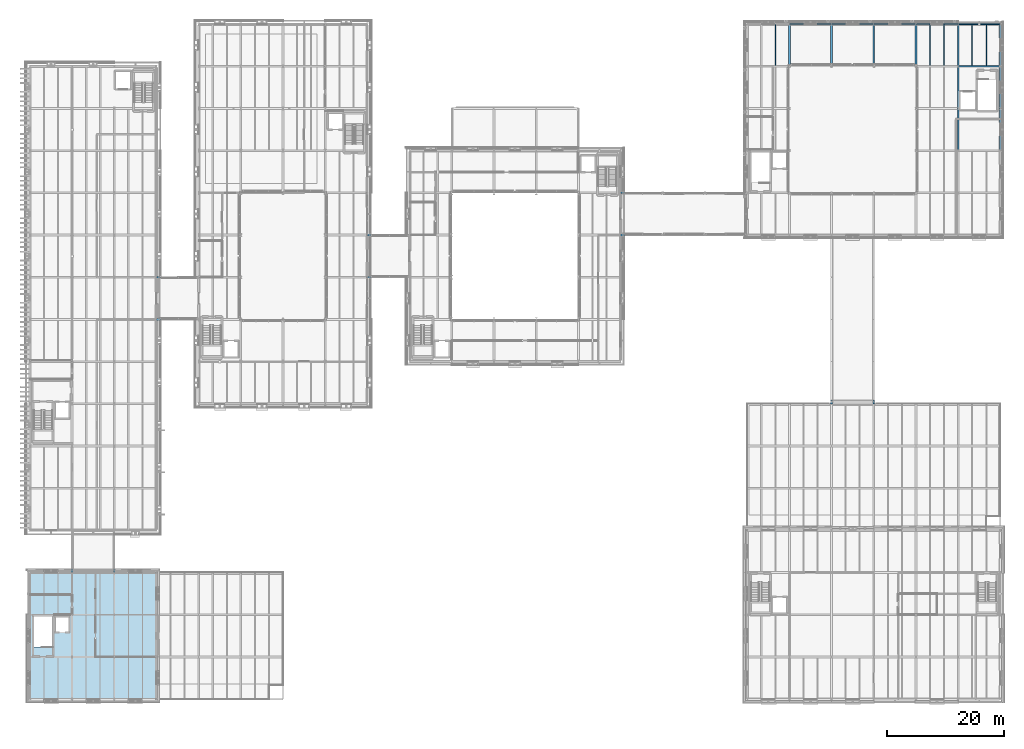
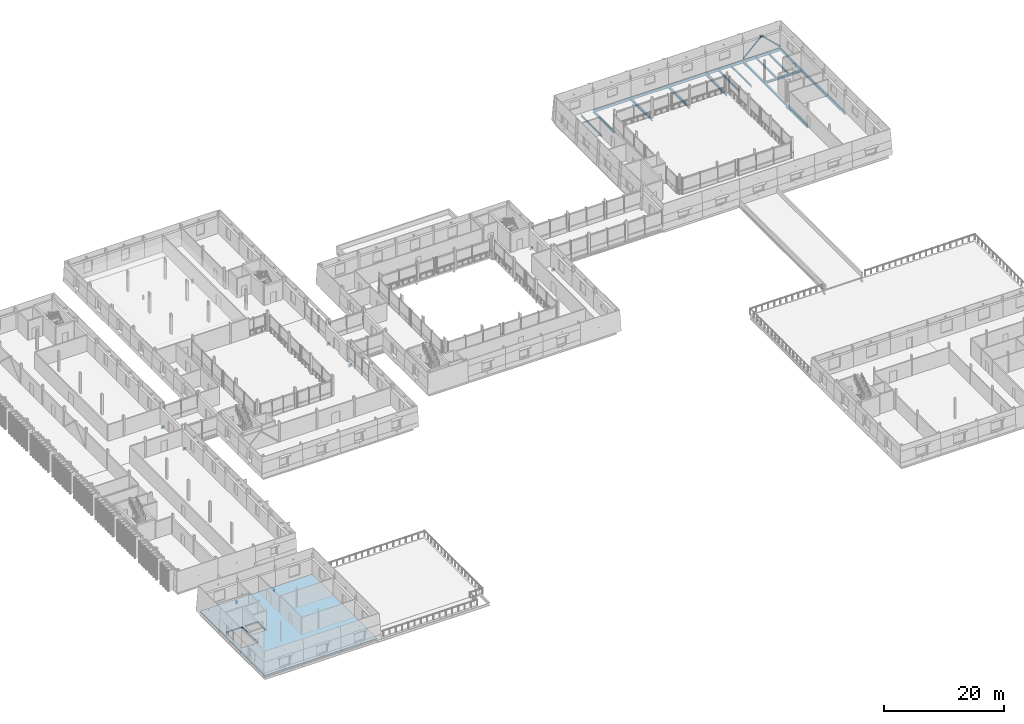
# One storey, part 42 of 115: 31 beams, 2 members, 1 slab.
"""IFC4 building model written with IfcOpenShell, lengths in metres."""

import ifcopenshell
import ifcopenshell.guid

model = None  # the IFC model being written
_history = None  # IfcOwnerHistory: only IFC2X3 demands one
_inside = {}  # id of a spatial element -> (the spatial element, [elements in it])
_under = {}  # id of a project, library or spatial element -> (it, [spatial elements below it])
_declared = {}  # id of a project -> (the project, [libraries it declares])
_typed = {}  # id of a type object -> (the type object, [elements of that type])
_made_of = {}  # id of a material, layer set ... -> (it, [elements and type objects made of it])


def new_model(schema):
    """Start an empty IFC model of exactly this schema.

    Asked for "IFC4X3", IfcOpenShell would pick the latest addendum, in which some entities
    have other attributes; the version numbers below select the first issue.
    IFC2X3 requires an IfcOwnerHistory on every rooted entity: one is made here for all.
    """
    global model, _history
    if schema == "IFC4X3":
        model = ifcopenshell.file(schema_version=(4, 3, 0, 0))
    else:
        model = ifcopenshell.file(schema=schema)
    _inside.clear()
    _under.clear()
    _declared.clear()
    _typed.clear()
    _made_of.clear()
    _history = None
    if model.schema == "IFC2X3":
        org = make("IfcOrganization", Name="unknown")
        user = make(
            "IfcPersonAndOrganization",
            ThePerson=make("IfcPerson", FamilyName="unknown"),
            TheOrganization=org,
        )
        app = make(
            "IfcApplication",
            ApplicationDeveloper=org,
            Version="unknown",
            ApplicationFullName="unknown",
            ApplicationIdentifier="unknown",
        )
        _history = make(
            "IfcOwnerHistory",
            OwningUser=user,
            OwningApplication=app,
            ChangeAction="ADDED",
            CreationDate=0,
        )
    return model


def make(cls, **values):
    """One entity of the class cls with the attributes given. An attribute that is None is left unset."""
    return model.create_entity(
        cls, **{name: value for name, value in values.items() if value is not None}
    )


def rooted(cls, **values):
    """An entity with a GlobalId (a new one), such as an element, a storey or a relation."""
    return make(cls, GlobalId=ifcopenshell.guid.new(), OwnerHistory=_history, **values)


def si_unit(unit_type, name, prefix=None):
    """IfcSIUnit, for example si_unit("LENGTHUNIT", "METRE", prefix="MILLI")."""
    return make("IfcSIUnit", UnitType=unit_type, Prefix=prefix, Name=name)


def assignment(units):
    """IfcUnitAssignment: the units of a project."""
    return None if units is None else make("IfcUnitAssignment", Units=units)


def point(xyz):
    """IfcCartesianPoint."""
    return None if xyz is None else make("IfcCartesianPoint", Coordinates=xyz)


def direction(xyz):
    """IfcDirection."""
    return None if xyz is None else make("IfcDirection", DirectionRatios=xyz)


def frame(location, z_axis=None, x_axis=None):
    """IfcAxis2Placement3D, a coordinate frame: its origin and axes. An axis left out is left unset."""
    return make(
        "IfcAxis2Placement3D",
        Location=point(location),
        Axis=direction(z_axis),
        RefDirection=direction(x_axis),
    )


def frame_2d(location, x_axis=None):
    """IfcAxis2Placement2D, a coordinate frame in the plane: its origin and x axis."""
    return make(
        "IfcAxis2Placement2D", Location=point(location), RefDirection=direction(x_axis)
    )


def origin():
    """The frame at (0, 0, 0) with its axes left unset."""
    return frame((0.0, 0.0, 0.0))


def origin_2d():
    """The frame at (0, 0) in the plane with its x axis left unset."""
    return frame_2d((0.0, 0.0))


def place(relative_to, where):
    """IfcLocalPlacement: puts the frame where relative to a parent placement (None: the world)."""
    return make(
        "IfcLocalPlacement", PlacementRelTo=relative_to, RelativePlacement=where
    )


def context(
    kind, dimensions, precision=None, world=None, true_north=None, identifier=None
):
    """IfcGeometricRepresentationContext, for example the 3D "Model" context."""
    return make(
        "IfcGeometricRepresentationContext",
        ContextIdentifier=identifier,
        ContextType=kind,
        CoordinateSpaceDimension=dimensions,
        Precision=precision,
        WorldCoordinateSystem=world,
        TrueNorth=true_north,
    )


def subcontext(parent, identifier, kind, view, scale=None):
    """IfcGeometricRepresentationSubContext, for example "Body" below "Model"."""
    return make(
        "IfcGeometricRepresentationSubContext",
        ContextIdentifier=identifier,
        ContextType=kind,
        ParentContext=parent,
        TargetScale=scale,
        TargetView=view,
    )


def project(units=None, contexts=None):
    """IfcProject with its units and contexts."""
    return rooted(
        "IfcProject",
        Name="project",
        RepresentationContexts=contexts,
        UnitsInContext=assignment(units),
    )


def spatial(cls, under=None, at=None, **own):
    """A site, building, storey or space (cls), placed at a placement, below another one or the project."""
    s = rooted(cls, ObjectPlacement=at, **own)
    if under is not None:
        _under.setdefault(under.id(), (under, []))[1].append(s)
    return s


def polyline(points):
    """IfcPolyline through the points."""
    return make("IfcPolyline", Points=[point(p) for p in points])


def profile(cls, at=None, kind="AREA", **sizes):
    """A parametric profile (cls). Its sizes go by their IFC names, for example OverallWidth=200.0."""
    return make(cls, ProfileType=kind, Position=at, **sizes)


def hollow_circle(**sizes):
    """IfcCircleHollowProfileDef."""
    return profile("IfcCircleHollowProfileDef", **sizes)


def i_section(**sizes):
    """IfcIShapeProfileDef."""
    return profile("IfcIShapeProfileDef", **sizes)


def outline(outer, holes=None, kind="AREA"):
    """IfcArbitraryClosedProfileDef: a profile drawn as a closed curve; with holes, ...WithVoids."""
    if holes is None:
        return make("IfcArbitraryClosedProfileDef", ProfileType=kind, OuterCurve=outer)
    return make(
        "IfcArbitraryProfileDefWithVoids",
        ProfileType=kind,
        OuterCurve=outer,
        InnerCurves=holes,
    )


def extrude(swept, where, along, depth):
    """IfcExtrudedAreaSolid: the profile swept, set in the frame where, extruded along a direction by depth."""
    return make(
        "IfcExtrudedAreaSolid",
        SweptArea=swept,
        Position=where,
        ExtrudedDirection=direction(along),
        Depth=depth,
    )


def shape(context_of_items, identifier, shape_type, items):
    """IfcShapeRepresentation: the items that make up one representation, for example the "Body"."""
    return make(
        "IfcShapeRepresentation",
        ContextOfItems=context_of_items,
        RepresentationIdentifier=identifier,
        RepresentationType=shape_type,
        Items=items,
    )


def material(Name=None, Category=None):
    """IfcMaterial."""
    return make("IfcMaterial", Name=Name, Category=Category)


def layer(
    of_material, thickness, ventilated=None, Name=None, Category=None, Priority=None
):
    """IfcMaterialLayer: one layer of a wall or slab, of a material (None: an air gap)."""
    return make(
        "IfcMaterialLayer",
        Material=of_material,
        LayerThickness=thickness,
        IsVentilated=ventilated,
        Name=Name,
        Category=Category,
        Priority=Priority,
    )


def layer_set(layers, Name=None):
    """IfcMaterialLayerSet."""
    return make("IfcMaterialLayerSet", MaterialLayers=layers, LayerSetName=Name)


def material_profile(
    of_material, cross_section, Name=None, Category=None, Priority=None
):
    """IfcMaterialProfile: a cross section and its material."""
    return make(
        "IfcMaterialProfile",
        Name=Name,
        Material=of_material,
        Profile=cross_section,
        Priority=Priority,
        Category=Category,
    )


def profile_set(profiles, Name=None, composite=None):
    """IfcMaterialProfileSet."""
    return make(
        "IfcMaterialProfileSet",
        Name=Name,
        MaterialProfiles=profiles,
        CompositeProfile=composite,
    )


def made_of(thing, what):
    """Note that an element or type object is made of a material, layer set ...; save() writes the relation."""
    if what is not None:
        _made_of.setdefault(what.id(), (what, []))[1].append(thing)
    return thing


def type_object(cls, material=None, **own):
    """A type object (cls), such as IfcWallType, which elements share."""
    return made_of(rooted(cls, **own), material)


def element(
    cls,
    number,
    at=None,
    inside=None,
    cuts=None,
    type_object=None,
    material=None,
    context=None,
    identifier="Body",
    shape_type=None,
    held_by="IfcProductDefinitionShape",
    body=None,
    shapes=None,
    **own,
):
    """One element of the class cls, such as IfcWall. Its Tag is "e" and its number.

    at: its placement. inside: the storey or other place that contains it. cuts: it is an
    opening in that element (IfcRelVoidsElement). A single representation is given by context,
    identifier, shape_type and body (its items); several are given by shapes. held_by: the class
    of the entity that holds the representations. save() writes the other relations.
    """
    e = rooted(cls, Tag="e%d" % number, ObjectPlacement=at, **own)
    if body is not None:
        shapes = [shape(context, identifier, shape_type, body)]
    if shapes is not None:
        e.Representation = make(held_by, Representations=shapes)
    if inside is not None:
        _inside.setdefault(inside.id(), (inside, []))[1].append(e)
    if cuts is not None:
        rooted(
            "IfcRelVoidsElement", RelatingBuildingElement=cuts, RelatedOpeningElement=e
        )
    if type_object is not None:
        _typed.setdefault(type_object.id(), (type_object, []))[1].append(e)
    return made_of(e, material)


def aggregate(whole, parts):
    """IfcRelAggregates: a whole, such as a stair, and the parts it consists of."""
    return rooted("IfcRelAggregates", RelatingObject=whole, RelatedObjects=parts)


def save(model, path):
    """Write the relations noted so far, then the file.

    IfcRelAggregates (storeys below a building ...), IfcRelContainedInSpatialStructure (elements
    in a storey), IfcRelDefinesByType, IfcRelAssociatesMaterial and IfcRelDeclares: one each for
    every whole, place, type object, material and project.
    """
    for whole, parts in _under.values():
        aggregate(whole, parts)
    for where, things in _inside.values():
        rooted(
            "IfcRelContainedInSpatialStructure",
            RelatedElements=things,
            RelatingStructure=where,
        )
    for kind, things in _typed.values():
        rooted("IfcRelDefinesByType", RelatedObjects=things, RelatingType=kind)
    for what, things in _made_of.values():
        rooted("IfcRelAssociatesMaterial", RelatedObjects=things, RelatingMaterial=what)
    for by, libraries in _declared.values():
        rooted("IfcRelDeclares", RelatingContext=by, RelatedDefinitions=libraries)
    model.write(path)


model = new_model("IFC4")

# Units and contexts
model_context = context("Model", 3, precision=1e-05, world=origin(), true_north=direction((0.0, 1.0)))
body_context = subcontext(model_context, "Body", "Model", "MODEL_VIEW")
ifc_project = project(units=[si_unit("LENGTHUNIT", "METRE"), si_unit("AREAUNIT", "SQUARE_METRE"), si_unit("VOLUMEUNIT", "CUBIC_METRE"), si_unit("PLANEANGLEUNIT", "RADIAN"), si_unit("MASSUNIT", "GRAM", prefix="KILO")], contexts=[model_context])

# Site, building, storey
site_placement = place(None, origin())
site = spatial("IfcSite", under=ifc_project, at=site_placement, CompositionType="ELEMENT")
building_placement = place(site_placement, origin())
building = spatial("IfcBuilding", under=site, at=building_placement, Name="Narikvali Park Central Library", CompositionType="ELEMENT")
storey_placement = place(building_placement, frame((0.0, 0.0, 10.199951171875)))
storey = spatial("IfcBuildingStorey", under=building, at=storey_placement, Name="L02", CompositionType="ELEMENT", Elevation=10.199951171875)

# Beams
ifc_material_1 = material(Name="Steel S355", Category="steel")
ifc_material_profile_1 = material_profile(ifc_material_1, i_section(OverallWidth=0.300048828125, OverallDepth=0.449951171875, WebThickness=0.013916015625, FlangeThickness=0.02587890625, FilletRadius=0.027099609375, at=origin_2d()), Name="HEB 450")
ifc_profile_set_1 = profile_set([ifc_material_profile_1], Name="Steel S355")
beam_type_1 = type_object("IfcBeamType", Name="Bridge Sliding Corbel Seat HEB450", PredefinedType="BEAM", material=ifc_profile_set_1)
for number, where, z_axis, x_axis, name in (
    (1, (21.60009765625, 64.800048828125, -0.905029296875), (1.0, 0.0, 0.0), (0.0, 1.0, 0.0), "BRG-1 L02 Bridge Sliding Corbel Seat 650 1"),
    (2, (21.60009765625, 72.0, -0.905029296875), (1.0, 0.0, 0.0), (0.0, 1.0, 0.0), "BRG-1 L02 Bridge Sliding Corbel Seat 650 2"),
    (3, (57.60009765625, 72.0, -0.905029296875), (1.0, 0.0, 0.0), (0.0, 1.0, 0.0), "BRG-2 L02 Bridge Sliding Corbel Seat 650 1"),
    (4, (57.60009765625, 79.199951171875, -0.905029296875), (1.0, 0.0, 0.0), (0.0, 1.0, 0.0), "BRG-2 L02 Bridge Sliding Corbel Seat 650 2"),
    (5, (100.800048828125, 79.199951171875, -0.945068359375), (1.0, 0.0, 0.0), (0.0, 1.0, 0.0), "BRG-3 L02 Bridge Sliding Corbel Seat 650 1"),
    (6, (100.800048828125, 86.39990234375, -0.945068359375), (1.0, 0.0, 0.0), (0.0, 1.0, 0.0), "BRG-3 L02 Bridge Sliding Corbel Seat 650 2"),
):
    element("IfcBeam", number, at=place(storey_placement, frame(where, z_axis=z_axis, x_axis=x_axis)), inside=storey, type_object=beam_type_1, Name=name, PredefinedType="BEAM", context=body_context, shape_type="SweptSolid", body=[
        extrude(i_section(OverallWidth=0.300048828125, OverallDepth=0.449951171875, WebThickness=0.013916015625, FlangeThickness=0.02587890625, FilletRadius=0.027099609375, at=origin_2d()), origin(), (0.0, 0.0, 1.0), 0.64990234375),
    ])
for number, where, z_axis, x_axis, name in (
    (7, (136.800048828125, 50.39990234375, -0.905029296875), (0.0, 1.0, 0.0), (-1.0, 0.0, 0.0), "BRG-4 L02 Bridge Sliding Corbel Seat 650 1"),
    (8, (144.0, 50.39990234375, -0.905029296875), (0.0, 1.0, 0.0), (-1.0, 0.0, 0.0), "BRG-4 L02 Bridge Sliding Corbel Seat 650 2"),
):
    element("IfcBeam", number, at=place(storey_placement, frame(where, z_axis=z_axis, x_axis=x_axis)), inside=storey, type_object=beam_type_1, Name=name, PredefinedType="BEAM", context=body_context, shape_type="SweptSolid", body=[
        extrude(i_section(OverallWidth=0.300048828125, OverallDepth=0.449951171875, WebThickness=0.013916015625, FlangeThickness=0.02587890625, FilletRadius=0.027099609375, at=origin_2d()), origin(), (0.0, 0.0, 1.0), 0.650146484375),
    ])
for number, where, z_axis, x_axis, name in (
    (9, (7.199951171875, 21.60009765625, -0.89501953125), (0.0, 1.0, 0.0), (-1.0, 0.0, 0.0), "BRG-5 L02 Bridge Sliding Corbel Seat 650 1"),
    (10, (14.39990234375, 21.60009765625, -0.89501953125), (0.0, 1.0, 0.0), (-1.0, 0.0, 0.0), "BRG-5 L02 Bridge Sliding Corbel Seat 650 2"),
):
    element("IfcBeam", number, at=place(storey_placement, frame(where, z_axis=z_axis, x_axis=x_axis)), inside=storey, type_object=beam_type_1, Name=name, PredefinedType="BEAM", context=body_context, shape_type="SweptSolid", body=[
        extrude(i_section(OverallWidth=0.300048828125, OverallDepth=0.449951171875, WebThickness=0.013916015625, FlangeThickness=0.02587890625, FilletRadius=0.027099609375, at=origin_2d()), origin(), (0.0, 0.0, 1.0), 0.64990234375),
    ])
ifc_material_profile_2 = material_profile(ifc_material_1, i_section(OverallWidth=0.179931640625, OverallDepth=0.39990234375, WebThickness=0.008544921875, FlangeThickness=0.013427734375, FilletRadius=0.02099609375, at=origin_2d()), Name="IPE 400")
ifc_profile_set_2 = profile_set([ifc_material_profile_2], Name="Steel S355")
beam_type_2 = type_object("IfcBeamType", Name="Composite Floor Joist IPE400", PredefinedType="JOIST", material=ifc_profile_set_2)
for number, where, z_axis, x_axis, name in (
    (11, (127.199951171875, 108.14990234375, -0.47998046875), (0.0, 1.0, 0.0), (-1.0, 0.0, 0.0), "V3 L02 Composite Joist 2"),
    (12, (153.60009765625, 108.14990234375, -0.47998046875), (0.0, 1.0, 0.0), (-1.0, 0.0, 0.0), "V3 L02 Composite Joist 1"),
    (13, (156.0, 108.14990234375, -0.47998046875), (0.0, 1.0, 0.0), (-1.0, 0.0, 0.0), "V3 L02 Composite Joist 2"),
    (14, (160.800048828125, 108.14990234375, -0.47998046875), (0.0, 1.0, 0.0), (-1.0, 0.0, 0.0), "V3 L02 Composite Joist 1"),
    (15, (163.199951171875, 108.14990234375, -0.47998046875), (0.0, 1.0, 0.0), (-1.0, 0.0, 0.0), "V3 L02 Composite Joist 2"),
):
    element("IfcBeam", number, at=place(storey_placement, frame(where, z_axis=z_axis, x_axis=x_axis)), inside=storey, type_object=beam_type_2, Name=name, PredefinedType="JOIST", context=body_context, shape_type="SweptSolid", body=[
        extrude(i_section(OverallWidth=0.179931640625, OverallDepth=0.39990234375, WebThickness=0.008544921875, FlangeThickness=0.013427734375, FilletRadius=0.02099609375, at=origin_2d()), origin(), (0.0, 0.0, 1.0), 6.945068359375),
    ])
ifc_material_profile_3 = material_profile(ifc_material_1, i_section(OverallWidth=0.300048828125, OverallDepth=0.699951171875, WebThickness=0.01708984375, FlangeThickness=0.031982421875, FilletRadius=0.027099609375, at=origin_2d()), Name="HEB 700")
ifc_profile_set_3 = profile_set([ifc_material_profile_3], Name="Steel S355")
beam_type_3 = type_object("IfcBeamType", Name="Long Span Girder HEB700", PredefinedType="BEAM", material=ifc_profile_set_3)
beam_1_placement = place(storey_placement, frame((158.39990234375, 93.60791015625, -0.6298828125), z_axis=(0.0, 1.0, 0.0), x_axis=(-1.0, 0.0, 0.0)))
element("IfcBeam", 16, at=beam_1_placement, inside=storey, type_object=beam_type_3, Name="V3 L02 Girder Y", PredefinedType="BEAM", context=body_context, shape_type="SweptSolid", body=[
    extrude(i_section(OverallWidth=0.300048828125, OverallDepth=0.699951171875, WebThickness=0.01708984375, FlangeThickness=0.031982421875, FilletRadius=0.027099609375, at=origin_2d()), origin(), (0.0, 0.0, 1.0), 7.18408203125),
])
ifc_material_profile_4 = material_profile(ifc_material_1, i_section(OverallWidth=0.2099609375, OverallDepth=0.550048828125, WebThickness=0.010986328125, FlangeThickness=0.01708984375, FilletRadius=0.02392578125, at=origin_2d()), Name="IPE 550")
ifc_profile_set_4 = profile_set([ifc_material_profile_4], Name="Steel S355")
beam_type_4 = type_object("IfcBeamType", Name="Perimeter Spandrel IPE550", PredefinedType="SPANDREL", material=ifc_profile_set_4)
beam_2_placement = place(storey_placement, frame((129.60791015625, 115.199951171875, -0.554931640625), z_axis=(1.0, 0.0, 0.0), x_axis=(0.0, 1.0, 0.0)))
element("IfcBeam", 17, at=beam_2_placement, inside=storey, type_object=beam_type_4, Name="V3 L02 Girder X", PredefinedType="SPANDREL", context=body_context, shape_type="SweptSolid", body=[
    extrude(i_section(OverallWidth=0.2099609375, OverallDepth=0.550048828125, WebThickness=0.010986328125, FlangeThickness=0.01708984375, FilletRadius=0.02392578125, at=origin_2d()), origin(), (0.0, 0.0, 1.0), 7.18408203125),
])
for number, where, z_axis, x_axis, name in (
    (18, (136.80810546875, 115.199951171875, -0.554931640625), (1.0, 0.0, 0.0), (0.0, 1.0, 0.0), "V3 L02 Girder X"),
    (19, (144.008056640625, 115.199951171875, -0.554931640625), (1.0, 0.0, 0.0), (0.0, 1.0, 0.0), "V3 L02 Girder X"),
):
    element("IfcBeam", number, at=place(storey_placement, frame(where, z_axis=z_axis, x_axis=x_axis)), inside=storey, type_object=beam_type_4, Name=name, PredefinedType="SPANDREL", context=body_context, shape_type="SweptSolid", body=[
        extrude(i_section(OverallWidth=0.2099609375, OverallDepth=0.550048828125, WebThickness=0.010986328125, FlangeThickness=0.01708984375, FilletRadius=0.02392578125, at=origin_2d()), origin(), (0.0, 0.0, 1.0), 7.183837890625),
    ])
for number, where, z_axis, x_axis, name in (
    (20, (151.2080078125, 115.199951171875, -0.554931640625), (1.0, 0.0, 0.0), (0.0, 1.0, 0.0), "V3 L02 Girder X"),
    (21, (158.407958984375, 115.199951171875, -0.554931640625), (1.0, 0.0, 0.0), (0.0, 1.0, 0.0), "V3 L02 Girder X"),
    (22, (165.60009765625, 93.60791015625, -0.554931640625), (0.0, 1.0, 0.0), (-1.0, 0.0, 0.0), "V3 L02 Girder Y"),
):
    element("IfcBeam", number, at=place(storey_placement, frame(where, z_axis=z_axis, x_axis=x_axis)), inside=storey, type_object=beam_type_4, Name=name, PredefinedType="SPANDREL", context=body_context, shape_type="SweptSolid", body=[
        extrude(i_section(OverallWidth=0.2099609375, OverallDepth=0.550048828125, WebThickness=0.010986328125, FlangeThickness=0.01708984375, FilletRadius=0.02392578125, at=origin_2d()), origin(), (0.0, 0.0, 1.0), 7.18408203125),
    ])
for number, where, z_axis, x_axis, name in (
    (23, (165.60009765625, 100.80810546875, -0.554931640625), (0.0, 1.0, 0.0), (-1.0, 0.0, 0.0), "V3 L02 Girder Y"),
    (24, (165.60009765625, 108.008056640625, -0.554931640625), (0.0, 1.0, 0.0), (-1.0, 0.0, 0.0), "V3 L02 Girder Y"),
):
    element("IfcBeam", number, at=place(storey_placement, frame(where, z_axis=z_axis, x_axis=x_axis)), inside=storey, type_object=beam_type_4, Name=name, PredefinedType="SPANDREL", context=body_context, shape_type="SweptSolid", body=[
        extrude(i_section(OverallWidth=0.2099609375, OverallDepth=0.550048828125, WebThickness=0.010986328125, FlangeThickness=0.01708984375, FilletRadius=0.02392578125, at=origin_2d()), origin(), (0.0, 0.0, 1.0), 7.183837890625),
    ])
ifc_material_profile_5 = material_profile(ifc_material_1, i_section(OverallWidth=0.300048828125, OverallDepth=0.43994140625, WebThickness=0.011474609375, FlangeThickness=0.02099609375, FilletRadius=0.027099609375, at=origin_2d()), Name="HEA 450")
ifc_profile_set_5 = profile_set([ifc_material_profile_5], Name="Steel S355")
beam_type_5 = type_object("IfcBeamType", Name="Primary Girder HEA450", PredefinedType="BEAM", material=ifc_profile_set_5)
beam_3_placement = place(storey_placement, frame((158.407958984375, 108.0, -0.5), z_axis=(1.0, 0.0, 0.0), x_axis=(0.0, 1.0, 0.0)))
element("IfcBeam", 25, at=beam_3_placement, inside=storey, type_object=beam_type_5, Name="V3 L02 Girder X", PredefinedType="BEAM", context=body_context, shape_type="SweptSolid", body=[
    extrude(i_section(OverallWidth=0.300048828125, OverallDepth=0.43994140625, WebThickness=0.011474609375, FlangeThickness=0.02099609375, FilletRadius=0.027099609375, at=origin_2d()), origin(), (0.0, 0.0, 1.0), 7.18408203125),
])
for number, where, z_axis, x_axis, name in (
    (26, (129.60009765625, 108.008056640625, -0.5), (0.0, 1.0, 0.0), (-1.0, 0.0, 0.0), "V3 L02 Girder Y"),
    (27, (136.800048828125, 108.008056640625, -0.5), (0.0, 1.0, 0.0), (-1.0, 0.0, 0.0), "V3 L02 Girder Y"),
    (28, (144.0, 108.008056640625, -0.5), (0.0, 1.0, 0.0), (-1.0, 0.0, 0.0), "V3 L02 Girder Y"),
    (29, (151.199951171875, 108.008056640625, -0.5), (0.0, 1.0, 0.0), (-1.0, 0.0, 0.0), "V3 L02 Girder Y"),
    (30, (158.39990234375, 100.80810546875, -0.5), (0.0, 1.0, 0.0), (-1.0, 0.0, 0.0), "V3 L02 Girder Y"),
    (31, (158.39990234375, 108.008056640625, -0.5), (0.0, 1.0, 0.0), (-1.0, 0.0, 0.0), "V3 L02 Girder Y"),
):
    element("IfcBeam", number, at=place(storey_placement, frame(where, z_axis=z_axis, x_axis=x_axis)), inside=storey, type_object=beam_type_5, Name=name, PredefinedType="BEAM", context=body_context, shape_type="SweptSolid", body=[
        extrude(i_section(OverallWidth=0.300048828125, OverallDepth=0.43994140625, WebThickness=0.011474609375, FlangeThickness=0.02099609375, FilletRadius=0.027099609375, at=origin_2d()), origin(), (0.0, 0.0, 1.0), 7.183837890625),
    ])

# Members
ifc_material_profile_6 = material_profile(ifc_material_1, hollow_circle(Radius=0.136474609375, WallThickness=0.012451171875, at=origin_2d()), Name="CHS 273x12.5")
ifc_profile_set_6 = profile_set([ifc_material_profile_6], Name="Steel S355")
member_type = type_object("IfcMemberType", Name="Seismic Chevron Brace CHS273", PredefinedType="BRACE", material=ifc_profile_set_6)
for number, where, z_axis, x_axis, name in (
    (32, (158.4150390625, 115.199951171875, 0.01513671875), (0.72307376481, 0.0, 0.690770823533), (0.0, 1.0, 0.0), "V3 L02 Seismic Chevron Brace A"),
    (33, (165.5849609375, 115.199951171875, 0.01513671875), (-0.72307376481, 0.0, 0.690770823533), (0.0, -1.0, 0.0), "V3 L02 Seismic Chevron Brace B"),
):
    element("IfcMember", number, at=place(storey_placement, frame(where, z_axis=z_axis, x_axis=x_axis)), inside=storey, type_object=member_type, Name=name, PredefinedType="BRACE", context=body_context, shape_type="SweptSolid", body=[
        extrude(hollow_circle(Radius=0.136474609375, WallThickness=0.012451171875, at=origin_2d()), origin(), (0.0, 0.0, 1.0), 4.9580078125),
    ])

# Slab
ifc_material_2 = material(Name="Concrete C35/45", Category="concrete")
ifc_layer = layer(ifc_material_2, 0.280029296875, Name="Concrete C35/45")
ifc_layer_set = layer_set([ifc_layer], Name="Concrete C35/45")
slab_type = type_object("IfcSlabType", Name="Composite Reading Floor Slab 280", PredefinedType="FLOOR", material=ifc_layer_set)
slab_placement = place(storey_placement, frame((0.0, 0.0, -0.280029296875)))
element("IfcSlab", 34, at=slab_placement, inside=storey, type_object=slab_type, Name="V2 L02 Structural Slab", PredefinedType="FLOOR", context=body_context, shape_type="SweptSolid", body=[
    extrude(outline(polyline([(0.0, 0.0), (21.60009765625, 0.0), (21.60009765625, 21.60009765625), (0.0, 21.60009765625), (0.0, 0.0)]), holes=[polyline([(0.64990234375, 8.89990234375), (3.85009765625, 8.89990234375), (3.85009765625, 14.14990234375), (0.64990234375, 14.14990234375), (0.64990234375, 8.89990234375)]), polyline([(4.25, 11.35009765625), (6.800048828125, 11.35009765625), (6.800048828125, 14.14990234375), (4.25, 14.14990234375), (4.25, 11.35009765625)])]), origin(), (0.0, 0.0, 1.0), 0.280029296875),
])

save(model, "model.ifc")
